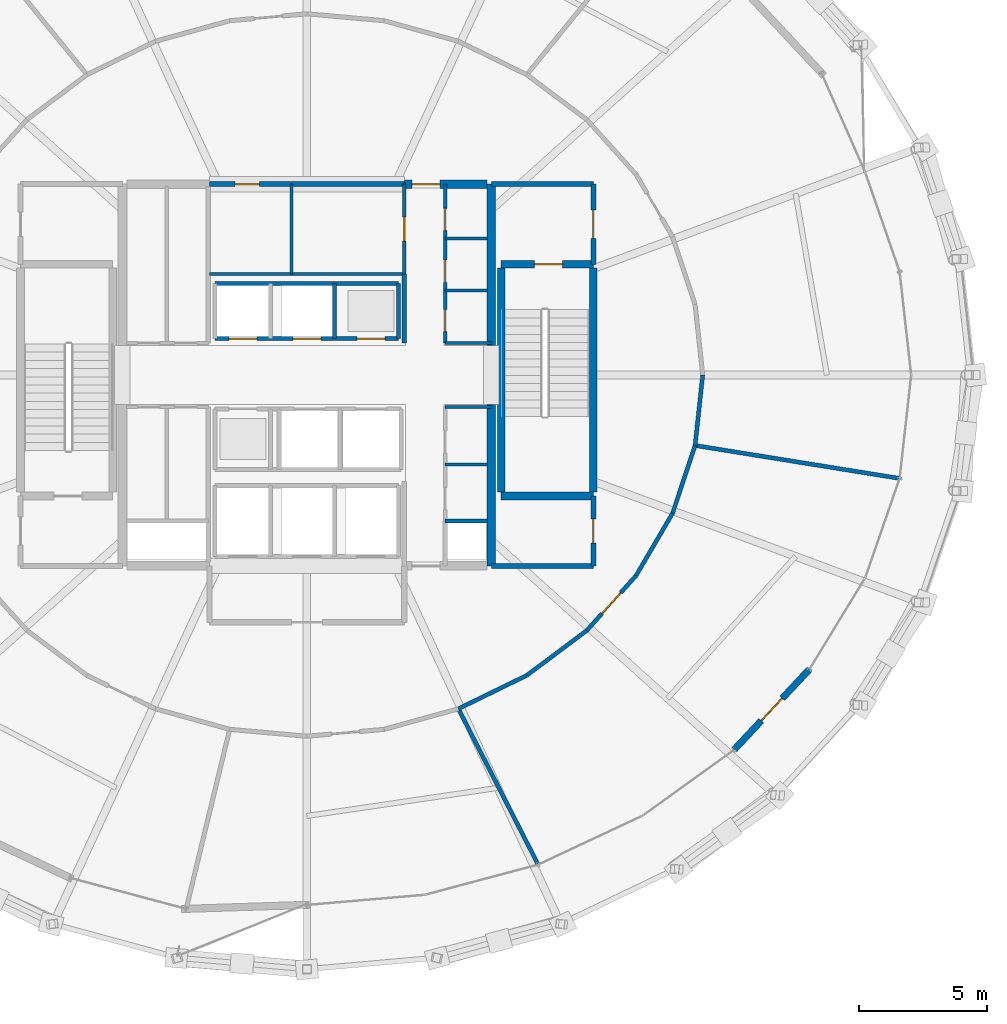
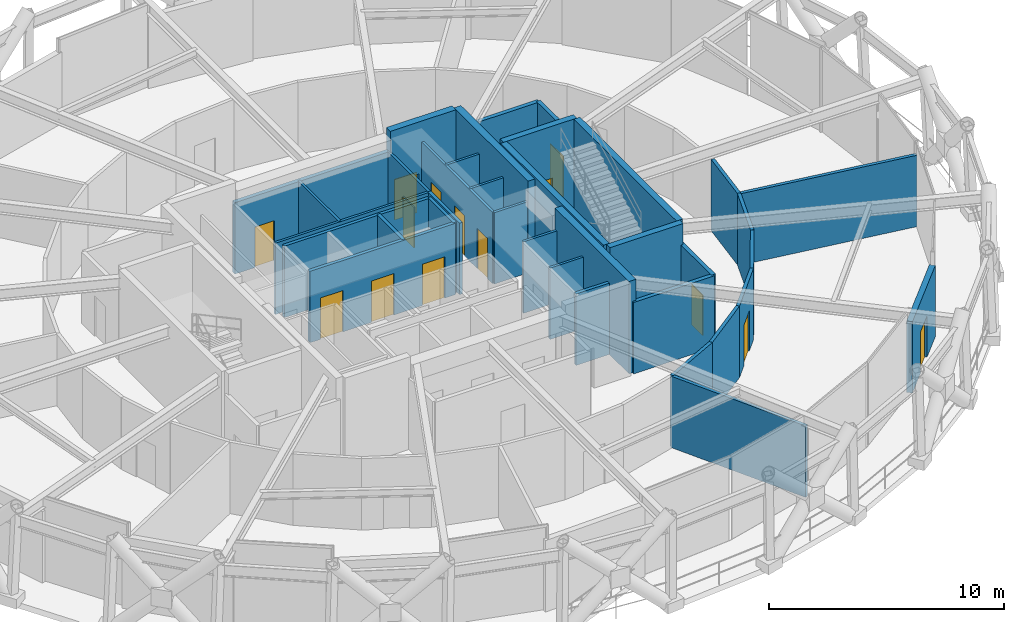
# One storey, part 26 of 29: 36 walls, 14 doors, 14 openings.
"""IFC4 building model written with IfcOpenShell, lengths in metres."""

from ifc_helpers import new_model, si_unit, direction, frame, frame_2d, origin, place, context, subcontext, project, spatial, rectangle, extrude, material, layer, layer_set, type_object, element, fill, save


model = new_model("IFC4")

# Units and contexts
model_context = context("Model", 3, precision=1e-05, world=origin(), true_north=direction((0.0, 1.0)))
body_context = subcontext(model_context, "Body", "Model", "MODEL_VIEW")
ifc_project = project(units=[si_unit("LENGTHUNIT", "METRE"), si_unit("AREAUNIT", "SQUARE_METRE"), si_unit("VOLUMEUNIT", "CUBIC_METRE"), si_unit("PLANEANGLEUNIT", "RADIAN"), si_unit("MASSUNIT", "GRAM", prefix="KILO")], contexts=[model_context])

# Site, building, storey
site_placement = place(None, origin())
site = spatial("IfcSite", under=ifc_project, at=site_placement, CompositionType="ELEMENT")
building_placement = place(site_placement, origin())
building = spatial("IfcBuilding", under=site, at=building_placement, Name="Veldorina Hangang Commons", CompositionType="ELEMENT")
storey_placement = place(building_placement, frame((0.0, 0.0, 203.60009765625)))
storey = spatial("IfcBuildingStorey", under=building, at=storey_placement, Name="L53", CompositionType="ELEMENT", Elevation=203.60009765625)

# Walls
ifc_material_1 = material(Name="Concrete C60/75", Category="concrete")
ifc_layer_1 = layer(ifc_material_1, 0.340087890625)
ifc_layer_set_1 = layer_set([ifc_layer_1], Name="Concrete C60/75")
wall_type_1 = type_object("IfcWallType", Name="CW-RC340-C60", PredefinedType="SHEAR", material=ifc_layer_set_1)
for number, where, z_axis, x_axis, name in (
    (1, (39.199951171875, 16.550048828125, 0.0), (0.0, 0.0, 1.0), (0.0, 1.0, 0.0), "L53 E south core shear wall"),
    (2, (39.199951171875, 25.14990234375, 0.0), (0.0, 0.0, 1.0), (0.0, 1.0, 0.0), "L53 E north core shear wall"),
):
    element("IfcWall", number, at=place(storey_placement, frame(where, z_axis=z_axis, x_axis=x_axis)), inside=storey, type_object=wall_type_1, Name=name, PredefinedType="SHEAR", context=body_context, shape_type="SweptSolid", body=[
        extrude(rectangle(XDim=6.300048828125, YDim=0.340087890625, at=frame_2d((3.14990234375, 0.0))), origin(), (0.0, 0.0, 1.0), 4.7998046875),
    ])

# Wall, opening, door
wall_1_placement = place(storey_placement, frame((35.800048828125, 31.449951171875, 0.0), z_axis=(0.0, 0.0, 1.0), x_axis=(1.0, 0.0, 0.0)))
wall_1 = element("IfcWall", 3, at=wall_1_placement, inside=storey, type_object=wall_type_1, Name="L53 north-east core shear wall", PredefinedType="SHEAR", context=body_context, shape_type="SweptSolid", body=[
    extrude(rectangle(XDim=3.22998046875, YDim=0.340087890625, at=frame_2d((1.614990234375, 0.0))), origin(), (0.0, 0.0, 1.0), 4.7998046875),
])
opening_1_placement = place(wall_1_placement, frame((0.300048828125, 0.0, 0.0)))
opening_1 = element("IfcOpeningElement", 4, at=opening_1_placement, cuts=wall_1, Name="Opening D-08", PredefinedType="OPENING", context=body_context, shape_type="SweptSolid", body=[
    extrude(rectangle(XDim=1.10009765625, YDim=2.10009765625, at=frame_2d((0.550048828125, 1.050048828125))), frame((0.0, 0.18017578125, 0.0), z_axis=(0.0, -1.0, 0.0), x_axis=(1.0, 0.0, 0.0)), (0.0, 0.0, 1.0), 0.360107421875),
])
ifc_material_2 = material(Name="Steel Fire-Rated Smoke Seal", Category="steel")
door_type_1 = type_object("IfcDoorType", Name="DR-FIRE-1100", OperationType="SINGLE_SWING_RIGHT", PredefinedType="DOOR", material=ifc_material_2)
door_1_placement = place(opening_1_placement, origin())
door_1 = element("IfcDoor", 5, at=door_1_placement, inside=storey, type_object=door_type_1, Name="L53 central lift lobby north corridor door", OperationType="SINGLE_SWING_LEFT", OverallHeight=2.10009765625, OverallWidth=1.10009765625, PredefinedType="DOOR", context=body_context, shape_type="SweptSolid", body=[
    extrude(rectangle(XDim=1.10009765625, YDim=2.10009765625, at=frame_2d((0.550048828125, 1.050048828125))), frame((0.0, 0.02490234375, 0.0), z_axis=(0.0, -1.0, 0.0), x_axis=(1.0, 0.0, 0.0)), (0.0, 0.0, 1.0), 0.050048828125),
])
fill(opening_1, door_1)

ifc_material_3 = material(Name="Stone Roman Travertine", Category="masonry")
ifc_layer_2 = layer(ifc_material_3, 0.260009765625)
ifc_layer_set_2 = layer_set([ifc_layer_2], Name="Stone Roman Travertine")
wall_type_2 = type_object("IfcWallType", Name="EW-LOGGIA-260", PredefinedType="STANDARD", material=ifc_layer_set_2)
wall_2_placement = place(storey_placement, frame((48.677978515625, 9.375, 0.0), z_axis=(0.0, 0.0, 1.0), x_axis=(0.683314643828, 0.730124028868, 0.0)))
wall_2 = element("IfcWall", 6, at=wall_2_placement, inside=storey, type_object=wall_type_2, Name="L53 sky-garden loggia portal wall 28", PredefinedType="STANDARD", context=body_context, shape_type="SweptSolid", body=[
    extrude(rectangle(XDim=4.29248046875, YDim=0.260009765625, at=frame_2d((2.146240234375, 0.0))), origin(), (0.0, 0.0, 1.0), 3.7099609375),
])
opening_2_placement = place(wall_2_placement, frame((1.54638671875, 0.0, 0.0)))
opening_2 = element("IfcOpeningElement", 7, at=opening_2_placement, cuts=wall_2, Name="Opening BD-1200", PredefinedType="OPENING", context=body_context, shape_type="SweptSolid", body=[
    extrude(rectangle(XDim=1.199951171875, YDim=2.14990234375, at=frame_2d((0.60009765625, 1.074951171875))), frame((0.0, 0.14013671875, 0.0), z_axis=(0.0, -1.0, 0.0), x_axis=(1.0, 0.0, 0.0)), (0.0, 0.0, 1.0), 0.280029296875),
])
ifc_material_4 = material(Name="Glass Thermal Aluminium Frame", Category="aluminium")
door_type_2 = type_object("IfcDoorType", Name="DR-EXT-LOG1200", OperationType="SINGLE_SWING_LEFT", PredefinedType="DOOR", material=ifc_material_4)
door_2_placement = place(opening_2_placement, origin())
door_2 = element("IfcDoor", 8, at=door_2_placement, inside=storey, type_object=door_type_2, Name="L53 loggia glazed exterior door 28", OperationType="SINGLE_SWING_LEFT", OverallHeight=2.14990234375, OverallWidth=1.199951171875, PredefinedType="DOOR", context=body_context, shape_type="SweptSolid", body=[
    extrude(rectangle(XDim=1.199951171875, YDim=2.14990234375, at=frame_2d((0.60009765625, 1.074951171875))), frame((0.0, 0.02490234375, 0.0), z_axis=(0.0, -1.0, 0.0), x_axis=(1.0, 0.0, 0.0)), (0.0, 0.0, 1.0), 0.050048828125),
])
fill(opening_2, door_2)

# Walls
ifc_material_5 = material(Name="Concrete C50/60", Category="concrete")
ifc_layer_3 = layer(ifc_material_5, 0.300048828125)
ifc_layer_set_3 = layer_set([ifc_layer_3], Name="Concrete C50/60")
wall_type_3 = type_object("IfcWallType", Name="SW-STAIR-300", PredefinedType="SHEAR", material=ifc_layer_set_3)
for number, where, z_axis, x_axis, name in (
    (9, (43.179931640625, 19.429931640625, 0.0), (0.0, 0.0, 1.0), (0.0, 1.0, 0.0), "L53 ST2 outer stair shear wall"),
    (10, (39.580078125, 19.429931640625, 0.0), (0.0, 0.0, 1.0), (0.0, 1.0, 0.0), "L53 ST2 inner stair shear wall"),
):
    element("IfcWall", number, at=place(storey_placement, frame(where, z_axis=z_axis, x_axis=x_axis)), inside=storey, type_object=wall_type_3, Name=name, PredefinedType="SHEAR", context=body_context, shape_type="SweptSolid", body=[
        extrude(rectangle(XDim=8.739990234375, YDim=0.300048828125, at=frame_2d((4.3701171875, 0.0))), origin(), (0.0, 0.0, 1.0), 4.7998046875),
    ])
wall_3_placement = place(storey_placement, frame((39.580078125, 19.280029296875, 0.0), z_axis=(0.0, 0.0, 1.0), x_axis=(1.0, 0.0, 0.0)))
element("IfcWall", 11, at=wall_3_placement, inside=storey, type_object=wall_type_3, Name="L53 ST2 south stair shear wall", PredefinedType="SHEAR", context=body_context, shape_type="SweptSolid", body=[
    extrude(rectangle(XDim=3.599853515625, YDim=0.300048828125, at=frame_2d((1.7998046875, 0.0))), origin(), (0.0, 0.0, 1.0), 4.7998046875),
])

# Wall, opening, door
wall_4_placement = place(storey_placement, frame((39.580078125, 28.320068359375, 0.0), z_axis=(0.0, 0.0, 1.0), x_axis=(1.0, 0.0, 0.0)))
wall_4 = element("IfcWall", 12, at=wall_4_placement, inside=storey, type_object=wall_type_3, Name="L53 ST2 north stair shear wall", PredefinedType="SHEAR", context=body_context, shape_type="SweptSolid", body=[
    extrude(rectangle(XDim=3.599853515625, YDim=0.300048828125, at=frame_2d((1.7998046875, 0.0))), origin(), (0.0, 0.0, 1.0), 4.7998046875),
])
opening_3_placement = place(wall_4_placement, frame((1.300048828125, 0.0, 0.0)))
opening_3 = element("IfcOpeningElement", 13, at=opening_3_placement, cuts=wall_4, Name="Opening D-08", PredefinedType="OPENING", context=body_context, shape_type="SweptSolid", body=[
    extrude(rectangle(XDim=1.10009765625, YDim=2.10009765625, at=frame_2d((0.550048828125, 1.050048828125))), frame((0.0, 0.16015625, 0.0), z_axis=(0.0, -1.0, 0.0), x_axis=(1.0, 0.0, 0.0)), (0.0, 0.0, 1.0), 0.320068359375),
])
door_3_placement = place(opening_3_placement, origin())
door_3 = element("IfcDoor", 14, at=door_3_placement, inside=storey, type_object=door_type_1, Name="L53 Special Escape Stair ST-2 door", OperationType="SINGLE_SWING_RIGHT", OverallHeight=2.10009765625, OverallWidth=1.10009765625, PredefinedType="DOOR", context=body_context, shape_type="SweptSolid", body=[
    extrude(rectangle(XDim=1.10009765625, YDim=2.10009765625, at=frame_2d((0.550048828125, 1.050048828125))), frame((0.0, 0.02490234375, 0.0), z_axis=(0.0, -1.0, 0.0), x_axis=(1.0, 0.0, 0.0)), (0.0, 0.0, 1.0), 0.050048828125),
])
fill(opening_3, door_3)

# Wall
ifc_material_6 = material(Name="Gypsum Fire-Rated Twin Stud Wall", Category="gypsum")
ifc_layer_4 = layer(ifc_material_6, 0.159912109375)
ifc_layer_set_4 = layer_set([ifc_layer_4], Name="Gypsum Fire-Rated Twin Stud Wall")
wall_type_4 = type_object("IfcWallType", Name="WL-FIRE-160", PredefinedType="SOLIDWALL", material=ifc_layer_set_4)
wall_5_placement = place(storey_placement, frame((35.800048828125, 25.25, 0.0), z_axis=(0.0, 0.0, 1.0), x_axis=(0.0, 1.0, 0.0)))
element("IfcWall", 15, at=wall_5_placement, inside=storey, type_object=wall_type_4, Name="L53 Lift passage NW lower wall 011", PredefinedType="SOLIDWALL", context=body_context, shape_type="SweptSolid", body=[
    extrude(rectangle(XDim=2.699951171875, YDim=0.159912109375, at=frame_2d((1.35009765625, 0.0))), origin(), (0.0, 0.0, 1.0), 3.7099609375),
])

# Wall, openings, doors
wall_6_placement = place(storey_placement, frame((28.419921875, 25.419921875, 0.0), z_axis=(0.0, 0.0, 1.0), x_axis=(1.0, 0.0, 0.0)))
wall_6 = element("IfcWall", 16, at=wall_6_placement, inside=storey, type_object=wall_type_4, Name="L53 Mid-high front shaft wall 015", PredefinedType="SOLIDWALL", context=body_context, shape_type="SweptSolid", body=[
    extrude(rectangle(XDim=7.16015625, YDim=0.159912109375, at=frame_2d((3.580078125, 0.0))), origin(), (0.0, 0.0, 1.0), 3.7099609375),
])
opening_4_placement = place(wall_6_placement, frame((0.530029296875, 0.0, 0.0)))
opening_4 = element("IfcOpeningElement", 17, at=opening_4_placement, cuts=wall_6, Name="Opening LD-01", PredefinedType="OPENING", context=body_context, shape_type="SweptSolid", body=[
    extrude(rectangle(XDim=1.10009765625, YDim=2.14990234375, at=frame_2d((0.550048828125, 1.074951171875))), frame((0.0, 0.08984375, 0.0), z_axis=(0.0, -1.0, 0.0), x_axis=(1.0, 0.0, 0.0)), (0.0, 0.0, 1.0), 0.179931640625),
])
opening_5_placement = place(wall_6_placement, frame((3.030029296875, 0.0, 0.0)))
opening_5 = element("IfcOpeningElement", 18, at=opening_5_placement, cuts=wall_6, Name="Opening LD-01", PredefinedType="OPENING", context=body_context, shape_type="SweptSolid", body=[
    extrude(rectangle(XDim=1.10009765625, YDim=2.14990234375, at=frame_2d((0.550048828125, 1.074951171875))), frame((0.0, 0.08984375, 0.0), z_axis=(0.0, -1.0, 0.0), x_axis=(1.0, 0.0, 0.0)), (0.0, 0.0, 1.0), 0.179931640625),
])
opening_6_placement = place(wall_6_placement, frame((5.530029296875, 0.0, 0.0)))
opening_6 = element("IfcOpeningElement", 19, at=opening_6_placement, cuts=wall_6, Name="Opening LD-01", PredefinedType="OPENING", context=body_context, shape_type="SweptSolid", body=[
    extrude(rectangle(XDim=1.10009765625, YDim=2.14990234375, at=frame_2d((0.550048828125, 1.074951171875))), frame((0.0, 0.08984375, 0.0), z_axis=(0.0, -1.0, 0.0), x_axis=(1.0, 0.0, 0.0)), (0.0, 0.0, 1.0), 0.179931640625),
])
ifc_material_7 = material(Name="Stainless Steel Brushed Lift Door", Category="steel")
door_type_3 = type_object("IfcDoorType", Name="DR-LIFT-1100", OperationType="SLIDING_TO_LEFT", PredefinedType="DOOR", material=ifc_material_7)
door_4_placement = place(opening_4_placement, origin())
door_4 = element("IfcDoor", 20, at=door_4_placement, inside=storey, type_object=door_type_3, Name="L53 Lift PL-M1 landing door 006", OperationType="SLIDING_TO_RIGHT", OverallHeight=2.14990234375, OverallWidth=1.10009765625, PredefinedType="DOOR", context=body_context, shape_type="SweptSolid", body=[
    extrude(rectangle(XDim=1.10009765625, YDim=2.14990234375, at=frame_2d((0.550048828125, 1.074951171875))), frame((0.0, 0.02490234375, 0.0), z_axis=(0.0, -1.0, 0.0), x_axis=(1.0, 0.0, 0.0)), (0.0, 0.0, 1.0), 0.050048828125),
])
fill(opening_4, door_4)
door_5_placement = place(opening_5_placement, origin())
door_5 = element("IfcDoor", 21, at=door_5_placement, inside=storey, type_object=door_type_3, Name="L53 Lift PL-M2 landing door 007", OperationType="SLIDING_TO_RIGHT", OverallHeight=2.14990234375, OverallWidth=1.10009765625, PredefinedType="DOOR", context=body_context, shape_type="SweptSolid", body=[
    extrude(rectangle(XDim=1.10009765625, YDim=2.14990234375, at=frame_2d((0.550048828125, 1.074951171875))), frame((0.0, 0.02490234375, 0.0), z_axis=(0.0, -1.0, 0.0), x_axis=(1.0, 0.0, 0.0)), (0.0, 0.0, 1.0), 0.050048828125),
])
fill(opening_5, door_5)
door_6_placement = place(opening_6_placement, origin())
door_6 = element("IfcDoor", 22, at=door_6_placement, inside=storey, type_object=door_type_3, Name="L53 Lift PL-H1 landing door 008", OperationType="SLIDING_TO_RIGHT", OverallHeight=2.14990234375, OverallWidth=1.10009765625, PredefinedType="DOOR", context=body_context, shape_type="SweptSolid", body=[
    extrude(rectangle(XDim=1.10009765625, YDim=2.14990234375, at=frame_2d((0.550048828125, 1.074951171875))), frame((0.0, 0.02490234375, 0.0), z_axis=(0.0, -1.0, 0.0), x_axis=(1.0, 0.0, 0.0)), (0.0, 0.0, 1.0), 0.050048828125),
])
fill(opening_6, door_6)

# Walls
wall_7_placement = place(storey_placement, frame((28.419921875, 27.580078125, 0.0), z_axis=(0.0, 0.0, 1.0), x_axis=(1.0, 0.0, 0.0)))
element("IfcWall", 23, at=wall_7_placement, inside=storey, type_object=wall_type_4, Name="L53 Mid-high rear shaft wall 016", PredefinedType="SOLIDWALL", context=body_context, shape_type="SweptSolid", body=[
    extrude(rectangle(XDim=7.16015625, YDim=0.159912109375, at=frame_2d((3.580078125, 0.0))), origin(), (0.0, 0.0, 1.0), 3.7099609375),
])
for number, where, z_axis, x_axis, name in (
    (24, (33.080078125, 25.419921875, 0.0), (0.0, 0.0, 1.0), (0.0, 1.0, 0.0), "L53 PL-M2 east shaft wall 019"),
    (25, (35.580078125, 25.419921875, 0.0), (0.0, 0.0, 1.0), (0.0, 1.0, 0.0), "L53 PL-H1 east shaft wall 020"),
):
    element("IfcWall", number, at=place(storey_placement, frame(where, z_axis=z_axis, x_axis=x_axis)), inside=storey, type_object=wall_type_4, Name=name, PredefinedType="SOLIDWALL", context=body_context, shape_type="SweptSolid", body=[
        extrude(rectangle(XDim=2.16015625, YDim=0.159912109375, at=frame_2d((1.080078125, 0.0))), origin(), (0.0, 0.0, 1.0), 3.7099609375),
    ])
wall_8_placement = place(storey_placement, frame((37.39990234375, 18.300048828125, 0.0), z_axis=(0.0, 0.0, 1.0), x_axis=(1.0, 0.0, 0.0)))
element("IfcWall", 26, at=wall_8_placement, inside=storey, type_object=wall_type_4, Name="L53 Plumbing riser wall 040", PredefinedType="SOLIDWALL", context=body_context, shape_type="SweptSolid", body=[
    extrude(rectangle(XDim=1.650146484375, YDim=0.159912109375, at=frame_2d((0.8251953125, 0.0))), origin(), (0.0, 0.0, 1.0), 3.7099609375),
])
wall_9_placement = place(storey_placement, frame((37.91259765625, 10.973388671875, 0.0), z_axis=(0.0, 0.0, 1.0), x_axis=(0.898755022802, 0.438451147778, 0.0)))
element("IfcWall", 27, at=wall_9_placement, inside=storey, type_object=wall_type_4, Name="L53 Sky gallery wall 26 079", PredefinedType="SOLIDWALL", context=body_context, shape_type="SweptSolid", body=[
    extrude(rectangle(XDim=2.9716796875, YDim=0.159912109375, at=frame_2d((1.48583984375, 0.0))), origin(), (0.0, 0.0, 1.0), 3.7099609375),
])
wall_10_placement = place(storey_placement, frame((40.58349609375, 12.2763671875, 0.0), z_axis=(0.0, 0.0, 1.0), x_axis=(0.800420462314, 0.599438973966, 0.0)))
element("IfcWall", 28, at=wall_10_placement, inside=storey, type_object=wall_type_4, Name="L53 Sky gallery wall 27 080", PredefinedType="SOLIDWALL", context=body_context, shape_type="SweptSolid", body=[
    extrude(rectangle(XDim=2.925048828125, YDim=0.159912109375, at=frame_2d((1.46240234375, 0.0))), origin(), (0.0, 0.0, 1.0), 3.7099609375),
])

# Wall, opening, door
wall_11_placement = place(storey_placement, frame((42.9248046875, 14.02978515625, 0.0), z_axis=(0.0, 0.0, 1.0), x_axis=(0.668645478294, 0.743581350194, 0.0)))
wall_11 = element("IfcWall", 29, at=wall_11_placement, inside=storey, type_object=wall_type_4, Name="L53 Sky gallery wall 28 081", PredefinedType="SOLIDWALL", context=body_context, shape_type="SweptSolid", body=[
    extrude(rectangle(XDim=2.87353515625, YDim=0.159912109375, at=frame_2d((1.436767578125, 0.0))), origin(), (0.0, 0.0, 1.0), 3.7099609375),
])
opening_7_placement = place(wall_11_placement, frame((0.88671875, 0.0, 0.0)))
opening_7 = element("IfcOpeningElement", 30, at=opening_7_placement, cuts=wall_11, Name="Opening D-08", PredefinedType="OPENING", context=body_context, shape_type="SweptSolid", body=[
    extrude(rectangle(XDim=1.10009765625, YDim=2.10009765625, at=frame_2d((0.550048828125, 1.050048828125))), frame((0.0, 0.08984375, 0.0), z_axis=(0.0, -1.0, 0.0), x_axis=(1.0, 0.0, 0.0)), (0.0, 0.0, 1.0), 0.179931640625),
])
door_7_placement = place(opening_7_placement, origin())
door_7 = element("IfcDoor", 31, at=door_7_placement, inside=storey, type_object=door_type_1, Name="L53 Upper Sky Lobby Concierge Hall entrance door 026", OperationType="SINGLE_SWING_RIGHT", OverallHeight=2.10009765625, OverallWidth=1.10009765625, PredefinedType="DOOR", context=body_context, shape_type="SweptSolid", body=[
    extrude(rectangle(XDim=1.10009765625, YDim=2.10009765625, at=frame_2d((0.550048828125, 1.050048828125))), frame((0.0, 0.02490234375, 0.0), z_axis=(0.0, -1.0, 0.0), x_axis=(1.0, 0.0, 0.0)), (0.0, 0.0, 1.0), 0.050048828125),
])
fill(opening_7, door_7)

# Walls
wall_12_placement = place(storey_placement, frame((44.84619140625, 16.16650390625, 0.0), z_axis=(0.0, 0.0, 1.0), x_axis=(0.505380130961, 0.862896820732, 0.0)))
element("IfcWall", 32, at=wall_12_placement, inside=storey, type_object=wall_type_4, Name="L53 Sky gallery wall 29 082", PredefinedType="SOLIDWALL", context=body_context, shape_type="SweptSolid", body=[
    extrude(rectangle(XDim=2.824951171875, YDim=0.159912109375, at=frame_2d((1.41259765625, 0.0))), origin(), (0.0, 0.0, 1.0), 3.7099609375),
])
wall_13_placement = place(storey_placement, frame((46.27392578125, 18.604248046875, 0.0), z_axis=(0.0, 0.0, 1.0), x_axis=(0.315413058649, 0.948954478589, 0.0)))
element("IfcWall", 33, at=wall_13_placement, inside=storey, type_object=wall_type_4, Name="L53 Sky gallery wall 30 083", PredefinedType="SOLIDWALL", context=body_context, shape_type="SweptSolid", body=[
    extrude(rectangle(XDim=2.787353515625, YDim=0.159912109375, at=frame_2d((1.3935546875, 0.0))), origin(), (0.0, 0.0, 1.0), 3.7099609375),
])
wall_14_placement = place(storey_placement, frame((47.153076171875, 21.249267578125, 0.0), z_axis=(0.0, 0.0, 1.0), x_axis=(0.107302680622, 0.994226400138, 0.0)))
element("IfcWall", 34, at=wall_14_placement, inside=storey, type_object=wall_type_4, Name="L53 Sky gallery wall 31 084", PredefinedType="SOLIDWALL", context=body_context, shape_type="SweptSolid", body=[
    extrude(rectangle(XDim=2.7666015625, YDim=0.159912109375, at=frame_2d((1.38330078125, 0.0))), origin(), (0.0, 0.0, 1.0), 3.7099609375),
])
wall_15_placement = place(storey_placement, frame((37.91259765625, 10.973388671875, 0.0), z_axis=(0.0, 0.0, 1.0), x_axis=(0.455654930069, -0.890156494502, 0.0)))
element("IfcWall", 35, at=wall_15_placement, inside=storey, type_object=wall_type_4, Name="L53 Sky lobby radial wall 1 085", PredefinedType="SOLIDWALL", context=body_context, shape_type="SweptSolid", body=[
    extrude(rectangle(XDim=6.83251953125, YDim=0.159912109375, at=frame_2d((3.416259765625, 0.0))), origin(), (0.0, 0.0, 1.0), 3.7099609375),
])
wall_16_placement = place(storey_placement, frame((47.153076171875, 21.249267578125, 0.0), z_axis=(0.0, 0.0, 1.0), x_axis=(0.987292230492, -0.158915234041, 0.0)))
element("IfcWall", 36, at=wall_16_placement, inside=storey, type_object=wall_type_4, Name="L53 Sky lobby radial wall 2 086", PredefinedType="SOLIDWALL", context=body_context, shape_type="SweptSolid", body=[
    extrude(rectangle(XDim=8.08251953125, YDim=0.159912109375, at=frame_2d((4.041259765625, 0.0))), origin(), (0.0, 0.0, 1.0), 3.7099609375),
])

# Wall, opening, door
ifc_material_8 = material(Name="Concrete Blockwork Fire Wall C30/37", Category="masonry")
ifc_layer_5 = layer(ifc_material_8, 0.199951171875)
ifc_layer_set_5 = layer_set([ifc_layer_5], Name="Concrete Blockwork Fire Wall C30/37")
wall_type_5 = type_object("IfcWallType", Name="WL-FIRE-200", PredefinedType="SOLIDWALL", material=ifc_layer_set_5)
wall_17_placement = place(storey_placement, frame((43.179931640625, 28.320068359375, 0.0), z_axis=(0.0, 0.0, 1.0), x_axis=(0.0, 1.0, 0.0)))
wall_17 = element("IfcWall", 37, at=wall_17_placement, inside=storey, type_object=wall_type_5, Name="L53 East vestibule outer wall 003", PredefinedType="SOLIDWALL", context=body_context, shape_type="SweptSolid", body=[
    extrude(rectangle(XDim=3.1298828125, YDim=0.199951171875, at=frame_2d((1.56494140625, 0.0))), origin(), (0.0, 0.0, 1.0), 3.7099609375),
])
opening_8_placement = place(wall_17_placement, frame((1.014892578125, 0.0, 0.0)))
opening_8 = element("IfcOpeningElement", 38, at=opening_8_placement, cuts=wall_17, Name="Opening D-08", PredefinedType="OPENING", context=body_context, shape_type="SweptSolid", body=[
    extrude(rectangle(XDim=1.10009765625, YDim=2.10009765625, at=frame_2d((0.550048828125, 1.050048828125))), frame((0.0, 0.10986328125, 0.0), z_axis=(0.0, -1.0, 0.0), x_axis=(1.0, 0.0, 0.0)), (0.0, 0.0, 1.0), 0.219970703125),
])
door_8_placement = place(opening_8_placement, origin())
door_8 = element("IfcDoor", 39, at=door_8_placement, inside=storey, type_object=door_type_1, Name="L53 East vestibule east door 002", OperationType="SINGLE_SWING_RIGHT", OverallHeight=2.10009765625, OverallWidth=1.10009765625, PredefinedType="DOOR", context=body_context, shape_type="SweptSolid", body=[
    extrude(rectangle(XDim=1.10009765625, YDim=2.10009765625, at=frame_2d((0.550048828125, 1.050048828125))), frame((0.0, 0.02490234375, 0.0), z_axis=(0.0, -1.0, 0.0), x_axis=(1.0, 0.0, 0.0)), (0.0, 0.0, 1.0), 0.050048828125),
])
fill(opening_8, door_8)

# Wall
wall_18_placement = place(storey_placement, frame((39.199951171875, 31.449951171875, 0.0), z_axis=(0.0, 0.0, 1.0), x_axis=(1.0, 0.0, 0.0)))
element("IfcWall", 40, at=wall_18_placement, inside=storey, type_object=wall_type_5, Name="L53 East vestibule north wall 004", PredefinedType="SOLIDWALL", context=body_context, shape_type="SweptSolid", body=[
    extrude(rectangle(XDim=3.97998046875, YDim=0.199951171875, at=frame_2d((1.989990234375, 0.0))), origin(), (0.0, 0.0, 1.0), 3.7099609375),
])

# Wall, opening, door
wall_19_placement = place(storey_placement, frame((43.179931640625, 16.550048828125, 0.0), z_axis=(0.0, 0.0, 1.0), x_axis=(0.0, 1.0, 0.0)))
wall_19 = element("IfcWall", 41, at=wall_19_placement, inside=storey, type_object=wall_type_5, Name="L53 SE core room outer wall 007", PredefinedType="SOLIDWALL", context=body_context, shape_type="SweptSolid", body=[
    extrude(rectangle(XDim=2.72998046875, YDim=0.199951171875, at=frame_2d((1.364990234375, 0.0))), origin(), (0.0, 0.0, 1.0), 3.7099609375),
])
opening_9_placement = place(wall_19_placement, frame((0.889892578125, 0.0, 0.0)))
opening_9 = element("IfcOpeningElement", 42, at=opening_9_placement, cuts=wall_19, Name="Opening D-02", PredefinedType="OPENING", context=body_context, shape_type="SweptSolid", body=[
    extrude(rectangle(XDim=0.949951171875, YDim=2.10009765625, at=frame_2d((0.47509765625, 1.050048828125))), frame((0.0, 0.10986328125, 0.0), z_axis=(0.0, -1.0, 0.0), x_axis=(1.0, 0.0, 0.0)), (0.0, 0.0, 1.0), 0.219970703125),
])
ifc_material_9 = material(Name="Timber Solid Core Acoustic", Category="wood")
door_type_4 = type_object("IfcDoorType", Name="DR-INT-950", OperationType="SINGLE_SWING_LEFT", PredefinedType="DOOR", material=ifc_material_9)
door_9_placement = place(opening_9_placement, origin())
door_9 = element("IfcDoor", 43, at=door_9_placement, inside=storey, type_object=door_type_4, Name="L53 SE core WC door 004", OperationType="SINGLE_SWING_RIGHT", OverallHeight=2.10009765625, OverallWidth=0.949951171875, PredefinedType="DOOR", context=body_context, shape_type="SweptSolid", body=[
    extrude(rectangle(XDim=0.949951171875, YDim=2.10009765625, at=frame_2d((0.47509765625, 1.050048828125))), frame((0.0, 0.02490234375, 0.0), z_axis=(0.0, -1.0, 0.0), x_axis=(1.0, 0.0, 0.0)), (0.0, 0.0, 1.0), 0.050048828125),
])
fill(opening_9, door_9)

# Wall
wall_20_placement = place(storey_placement, frame((39.199951171875, 16.550048828125, 0.0), z_axis=(0.0, 0.0, 1.0), x_axis=(1.0, 0.0, 0.0)))
element("IfcWall", 44, at=wall_20_placement, inside=storey, type_object=wall_type_5, Name="L53 SE core room south wall 008", PredefinedType="SOLIDWALL", context=body_context, shape_type="SweptSolid", body=[
    extrude(rectangle(XDim=3.97998046875, YDim=0.199951171875, at=frame_2d((1.989990234375, 0.0))), origin(), (0.0, 0.0, 1.0), 3.7099609375),
])

# Wall, opening, door
wall_21_placement = place(storey_placement, frame((28.199951171875, 31.449951171875, 0.0), z_axis=(0.0, 0.0, 1.0), x_axis=(1.0, 0.0, 0.0)))
wall_21 = element("IfcWall", 45, at=wall_21_placement, inside=storey, type_object=wall_type_5, Name="L53 Merged north core wall 034", PredefinedType="SOLIDWALL", context=body_context, shape_type="SweptSolid", body=[
    extrude(rectangle(XDim=7.60009765625, YDim=0.199951171875, at=frame_2d((3.800048828125, 0.0))), origin(), (0.0, 0.0, 1.0), 3.7099609375),
])
opening_10_placement = place(wall_21_placement, frame((1.0, 0.0, 0.0)))
opening_10 = element("IfcOpeningElement", 46, at=opening_10_placement, cuts=wall_21, Name="Opening D-02", PredefinedType="OPENING", context=body_context, shape_type="SweptSolid", body=[
    extrude(rectangle(XDim=0.949951171875, YDim=2.10009765625, at=frame_2d((0.47509765625, 1.050048828125))), frame((0.0, 0.10986328125, 0.0), z_axis=(0.0, -1.0, 0.0), x_axis=(1.0, 0.0, 0.0)), (0.0, 0.0, 1.0), 0.219970703125),
])
door_10_placement = place(opening_10_placement, origin())
door_10 = element("IfcDoor", 47, at=door_10_placement, inside=storey, type_object=door_type_4, Name="L53 Core study alcove door 015", OperationType="SINGLE_SWING_LEFT", OverallHeight=2.10009765625, OverallWidth=0.949951171875, PredefinedType="DOOR", context=body_context, shape_type="SweptSolid", body=[
    extrude(rectangle(XDim=0.949951171875, YDim=2.10009765625, at=frame_2d((0.47509765625, 1.050048828125))), frame((0.0, 0.02490234375, 0.0), z_axis=(0.0, -1.0, 0.0), x_axis=(1.0, 0.0, 0.0)), (0.0, 0.0, 1.0), 0.050048828125),
])
fill(opening_10, door_10)

# Wall
ifc_material_10 = material(Name="Gypsum Acoustic Stud Partition", Category="gypsum")
ifc_layer_6 = layer(ifc_material_10, 0.1201171875)
ifc_layer_set_6 = layer_set([ifc_layer_6], Name="Gypsum Acoustic Stud Partition")
wall_type_6 = type_object("IfcWallType", Name="WL-PART-120", PredefinedType="PARTITIONING", material=ifc_layer_set_6)
wall_22_placement = place(storey_placement, frame((28.199951171875, 27.949951171875, 0.0), z_axis=(0.0, 0.0, 1.0), x_axis=(1.0, 0.0, 0.0)))
element("IfcWall", 48, at=wall_22_placement, inside=storey, type_object=wall_type_6, Name="L53 Merged north south wall 035", PredefinedType="PARTITIONING", context=body_context, shape_type="SweptSolid", body=[
    extrude(rectangle(XDim=7.60009765625, YDim=0.1201171875, at=frame_2d((3.800048828125, 0.0))), origin(), (0.0, 0.0, 1.0), 3.7099609375),
])

# Wall, opening, door
wall_23_placement = place(storey_placement, frame((35.800048828125, 27.949951171875, 0.0), z_axis=(0.0, 0.0, 1.0), x_axis=(0.0, 1.0, 0.0)))
wall_23 = element("IfcWall", 49, at=wall_23_placement, inside=storey, type_object=wall_type_6, Name="L53 Merged north east wall 036", PredefinedType="PARTITIONING", context=body_context, shape_type="SweptSolid", body=[
    extrude(rectangle(XDim=3.5, YDim=0.1201171875, at=frame_2d((1.75, 0.0))), origin(), (0.0, 0.0, 1.0), 3.7099609375),
])
opening_11_placement = place(wall_23_placement, frame((1.27490234375, 0.0, 0.0)))
opening_11 = element("IfcOpeningElement", 50, at=opening_11_placement, cuts=wall_23, Name="Opening D-02", PredefinedType="OPENING", context=body_context, shape_type="SweptSolid", body=[
    extrude(rectangle(XDim=0.949951171875, YDim=2.10009765625, at=frame_2d((0.47509765625, 1.050048828125))), frame((0.0, 0.070068359375, 0.0), z_axis=(0.0, -1.0, 0.0), x_axis=(1.0, 0.0, 0.0)), (0.0, 0.0, 1.0), 0.14013671875),
])
door_11_placement = place(opening_11_placement, origin())
door_11 = element("IfcDoor", 51, at=door_11_placement, inside=storey, type_object=door_type_4, Name="L53 Core linen store door 016", OperationType="SINGLE_SWING_RIGHT", OverallHeight=2.10009765625, OverallWidth=0.949951171875, PredefinedType="DOOR", context=body_context, shape_type="SweptSolid", body=[
    extrude(rectangle(XDim=0.949951171875, YDim=2.10009765625, at=frame_2d((0.47509765625, 1.050048828125))), frame((0.0, 0.02490234375, 0.0), z_axis=(0.0, -1.0, 0.0), x_axis=(1.0, 0.0, 0.0)), (0.0, 0.0, 1.0), 0.050048828125),
])
fill(opening_11, door_11)

# Wall
wall_24_placement = place(storey_placement, frame((31.39990234375, 27.949951171875, 0.0), z_axis=(0.0, 0.0, 1.0), x_axis=(0.0, 1.0, 0.0)))
element("IfcWall", 52, at=wall_24_placement, inside=storey, type_object=wall_type_6, Name="L53 Merged north split wall 037", PredefinedType="PARTITIONING", context=body_context, shape_type="SweptSolid", body=[
    extrude(rectangle(XDim=3.5, YDim=0.1201171875, at=frame_2d((1.75, 0.0))), origin(), (0.0, 0.0, 1.0), 3.7099609375),
])

# Wall, openings, doors
wall_25_placement = place(storey_placement, frame((37.39990234375, 25.25, 0.0), z_axis=(0.0, 0.0, 1.0), x_axis=(0.0, 1.0, 0.0)))
wall_25 = element("IfcWall", 53, at=wall_25_placement, inside=storey, type_object=wall_type_6, Name="L53 NE strip lobby wall 044", PredefinedType="PARTITIONING", context=body_context, shape_type="SweptSolid", body=[
    extrude(rectangle(XDim=6.199951171875, YDim=0.1201171875, at=frame_2d((3.10009765625, 0.0))), origin(), (0.0, 0.0, 1.0), 3.7099609375),
])
opening_12_placement = place(wall_25_placement, frame((0.43994140625, 0.0, 0.0)))
opening_12 = element("IfcOpeningElement", 54, at=opening_12_placement, cuts=wall_25, Name="Opening D-01", PredefinedType="OPENING", context=body_context, shape_type="SweptSolid", body=[
    extrude(rectangle(XDim=0.860107421875, YDim=2.10009765625, at=frame_2d((0.43017578125, 1.050048828125))), frame((0.0, 0.070068359375, 0.0), z_axis=(0.0, -1.0, 0.0), x_axis=(1.0, 0.0, 0.0)), (0.0, 0.0, 1.0), 0.14013671875),
])
opening_13_placement = place(wall_25_placement, frame((2.3701171875, 0.0, 0.0)))
opening_13 = element("IfcOpeningElement", 55, at=opening_13_placement, cuts=wall_25, Name="Opening D-01", PredefinedType="OPENING", context=body_context, shape_type="SweptSolid", body=[
    extrude(rectangle(XDim=0.860107421875, YDim=2.10009765625, at=frame_2d((0.43017578125, 1.050048828125))), frame((0.0, 0.070068359375, 0.0), z_axis=(0.0, -1.0, 0.0), x_axis=(1.0, 0.0, 0.0)), (0.0, 0.0, 1.0), 0.14013671875),
])
opening_14_placement = place(wall_25_placement, frame((4.389892578125, 0.0, 0.0)))
opening_14 = element("IfcOpeningElement", 56, at=opening_14_placement, cuts=wall_25, Name="Opening D-01", PredefinedType="OPENING", context=body_context, shape_type="SweptSolid", body=[
    extrude(rectangle(XDim=0.860107421875, YDim=2.10009765625, at=frame_2d((0.43017578125, 1.050048828125))), frame((0.0, 0.070068359375, 0.0), z_axis=(0.0, -1.0, 0.0), x_axis=(1.0, 0.0, 0.0)), (0.0, 0.0, 1.0), 0.14013671875),
])
ifc_material_11 = material(Name="Timber Moisture-Resistant Core", Category="wood")
door_type_5 = type_object("IfcDoorType", Name="DR-WET-860", OperationType="SINGLE_SWING_LEFT", PredefinedType="DOOR", material=ifc_material_11)
door_12_placement = place(opening_12_placement, origin())
door_12 = element("IfcDoor", 57, at=door_12_placement, inside=storey, type_object=door_type_5, Name="L53 Fiber Riser Closet door 021", OperationType="SINGLE_SWING_LEFT", OverallHeight=2.10009765625, OverallWidth=0.860107421875, PredefinedType="DOOR", context=body_context, shape_type="SweptSolid", body=[
    extrude(rectangle(XDim=0.860107421875, YDim=2.10009765625, at=frame_2d((0.43017578125, 1.050048828125))), frame((0.0, 0.02490234375, 0.0), z_axis=(0.0, -1.0, 0.0), x_axis=(1.0, 0.0, 0.0)), (0.0, 0.0, 1.0), 0.050048828125),
])
fill(opening_12, door_12)
door_13_placement = place(opening_13_placement, origin())
door_13 = element("IfcDoor", 58, at=door_13_placement, inside=storey, type_object=door_type_5, Name="L53 AV Rack Closet door 022", OperationType="SINGLE_SWING_RIGHT", OverallHeight=2.10009765625, OverallWidth=0.860107421875, PredefinedType="DOOR", context=body_context, shape_type="SweptSolid", body=[
    extrude(rectangle(XDim=0.860107421875, YDim=2.10009765625, at=frame_2d((0.43017578125, 1.050048828125))), frame((0.0, 0.02490234375, 0.0), z_axis=(0.0, -1.0, 0.0), x_axis=(1.0, 0.0, 0.0)), (0.0, 0.0, 1.0), 0.050048828125),
])
fill(opening_13, door_13)
door_14_placement = place(opening_14_placement, origin())
door_14 = element("IfcDoor", 59, at=door_14_placement, inside=storey, type_object=door_type_5, Name="L53 Supply Closet door 023", OperationType="SINGLE_SWING_LEFT", OverallHeight=2.10009765625, OverallWidth=0.860107421875, PredefinedType="DOOR", context=body_context, shape_type="SweptSolid", body=[
    extrude(rectangle(XDim=0.860107421875, YDim=2.10009765625, at=frame_2d((0.43017578125, 1.050048828125))), frame((0.0, 0.02490234375, 0.0), z_axis=(0.0, -1.0, 0.0), x_axis=(1.0, 0.0, 0.0)), (0.0, 0.0, 1.0), 0.050048828125),
])
fill(opening_14, door_14)

# Walls
for number, where, z_axis, x_axis, name in (
    (60, (37.39990234375, 25.25, 0.0), (0.0, 0.0, 1.0), (1.0, 0.0, 0.0), "L53 NE strip south return wall 045"),
    (61, (37.39990234375, 22.75, 0.0), (0.0, 0.0, 1.0), (1.0, 0.0, 0.0), "L53 SE strip north return wall 047"),
):
    element("IfcWall", number, at=place(storey_placement, frame(where, z_axis=z_axis, x_axis=x_axis)), inside=storey, type_object=wall_type_6, Name=name, PredefinedType="PARTITIONING", context=body_context, shape_type="SweptSolid", body=[
        extrude(rectangle(XDim=1.800048828125, YDim=0.1201171875, at=frame_2d((0.89990234375, 0.0))), origin(), (0.0, 0.0, 1.0), 3.7099609375),
    ])
for number, where, z_axis, x_axis, name in (
    (62, (37.39990234375, 27.300048828125, 0.0), (0.0, 0.0, 1.0), (1.0, 0.0, 0.0), "L53 NE split 1 050"),
    (63, (37.39990234375, 29.330078125, 0.0), (0.0, 0.0, 1.0), (1.0, 0.0, 0.0), "L53 NE split 2 051"),
    (64, (37.39990234375, 20.5, 0.0), (0.0, 0.0, 1.0), (1.0, 0.0, 0.0), "L53 SE horizontal split 052"),
):
    element("IfcWall", number, at=place(storey_placement, frame(where, z_axis=z_axis, x_axis=x_axis)), inside=storey, type_object=wall_type_6, Name=name, PredefinedType="PARTITIONING", context=body_context, shape_type="SweptSolid", body=[
        extrude(rectangle(XDim=1.650146484375, YDim=0.1201171875, at=frame_2d((0.8251953125, 0.0))), origin(), (0.0, 0.0, 1.0), 3.7099609375),
    ])

save(model, "model.ifc")
